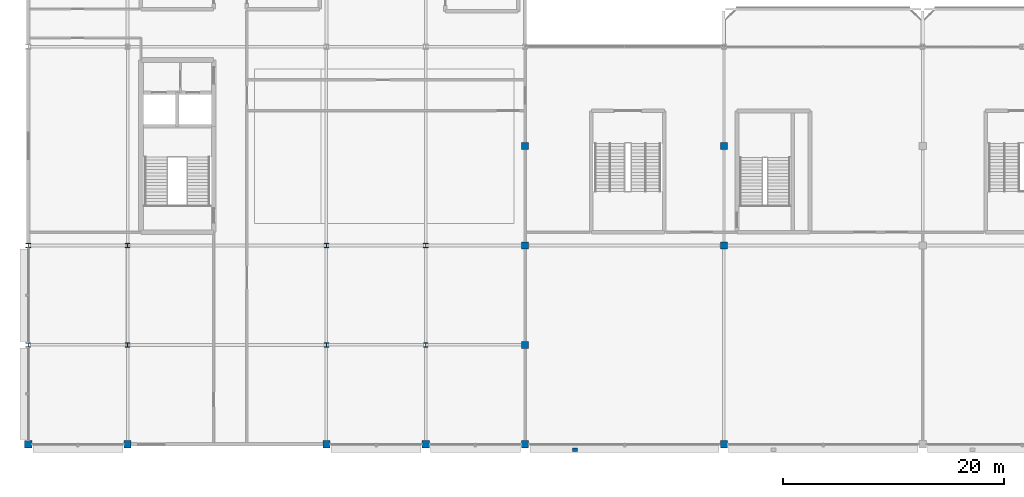
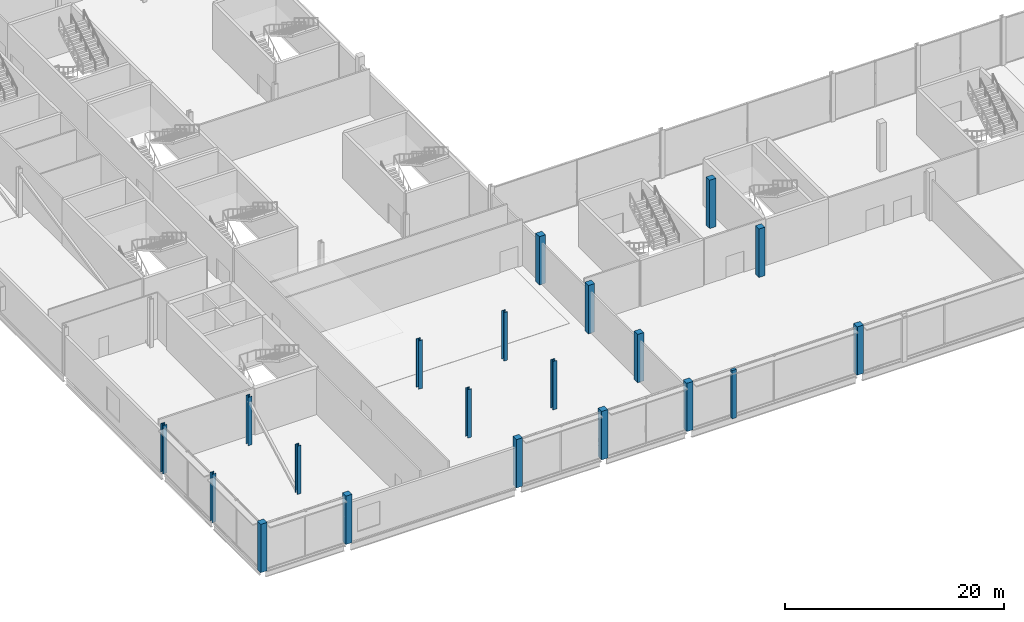
# One storey, part 1 of 113: 20 columns.
"""IFC4 building model written with IfcOpenShell, lengths in metres."""

from ifc_helpers import new_model, si_unit, direction, frame, origin, origin_2d, place, context, subcontext, project, spatial, rectangle, i_section, extrude, material, material_profile, profile_set, type_object, element, save


model = new_model("IFC4")

# Units and contexts
model_context = context("Model", 3, precision=1e-05, world=origin(), true_north=direction((0.0, 1.0)))
body_context = subcontext(model_context, "Body", "Model", "MODEL_VIEW")
ifc_project = project(units=[si_unit("LENGTHUNIT", "METRE"), si_unit("AREAUNIT", "SQUARE_METRE"), si_unit("VOLUMEUNIT", "CUBIC_METRE"), si_unit("PLANEANGLEUNIT", "RADIAN"), si_unit("MASSUNIT", "GRAM", prefix="KILO")], contexts=[model_context])

# Site, building, storey
site_placement = place(None, origin())
site = spatial("IfcSite", under=ifc_project, at=site_placement, CompositionType="ELEMENT")
building_placement = place(site_placement, origin())
building = spatial("IfcBuilding", under=site, at=building_placement, Name="Kisiwana Market Hall", CompositionType="ELEMENT")
storey_placement = place(building_placement, frame((0.0, 0.0, 6.0)))
storey = spatial("IfcBuildingStorey", under=building, at=storey_placement, Name="L01", CompositionType="ELEMENT", Elevation=6.0)

# Columns
ifc_material_1 = material(Name="Concrete C40/50", Category="concrete")
ifc_material_profile_1 = material_profile(ifc_material_1, rectangle(XDim=0.64990234375, YDim=0.64990234375, at=origin_2d()), Name="RC 650x650")
ifc_profile_set_1 = profile_set([ifc_material_profile_1], Name="Concrete C40/50")
column_type_1 = type_object("IfcColumnType", Name="COL-RC-POD-650", PredefinedType="COLUMN", material=ifc_profile_set_1)
for number, where, z_axis, x_axis, name in (
    (1, (0.0, 0.0, 0.0), (0.0, 0.0, 1.0), (1.0, 0.0, 0.0), "Column A/1 (L01) C-0360"),
    (2, (9.0, 0.0, 0.0), (0.0, 0.0, 1.0), (1.0, 0.0, 0.0), "Column A/2 (L01) C-0369"),
    (3, (27.0, 0.0, 0.0), (0.0, 0.0, 1.0), (1.0, 0.0, 0.0), "Column A/4 (L01) C-0377"),
    (4, (36.0, 0.0, 0.0), (0.0, 0.0, 1.0), (1.0, 0.0, 0.0), "Column A/5 (L01) C-0386"),
    (5, (45.0, 0.0, 0.0), (0.0, 0.0, 1.0), (1.0, 0.0, 0.0), "Column A/6 (L01) C-0394"),
    (6, (45.0, 9.0, 0.0), (0.0, 0.0, 1.0), (1.0, 0.0, 0.0), "Column B/6 (L01) C-0395"),
    (7, (45.0, 18.0, 0.0), (0.0, 0.0, 1.0), (1.0, 0.0, 0.0), "Column C/6 (L01) C-0396"),
    (8, (45.0, 27.0, 0.0), (0.0, 0.0, 1.0), (1.0, 0.0, 0.0), "Column D/6 (L01) C-0397"),
    (9, (63.0, 0.0, 0.0), (0.0, 0.0, 1.0), (1.0, 0.0, 0.0), "Column A/8 (L01) C-0405"),
    (10, (63.0, 18.0, 0.0), (0.0, 0.0, 1.0), (1.0, 0.0, 0.0), "Column C/8 (L01) C-0406"),
    (11, (63.0, 27.0, 0.0), (0.0, 0.0, 1.0), (1.0, 0.0, 0.0), "Column D/8 (L01) C-0407"),
):
    element("IfcColumn", number, at=place(storey_placement, frame(where, z_axis=z_axis, x_axis=x_axis)), inside=storey, type_object=column_type_1, Name=name, PredefinedType="COLUMN", context=body_context, shape_type="SweptSolid", body=[
        extrude(rectangle(XDim=0.64990234375, YDim=0.64990234375, at=origin_2d()), origin(), (0.0, 0.0, 1.0), 5.39990234375),
    ])
ifc_material_2 = material(Name="Steel S355", Category="steel")
ifc_material_profile_2 = material_profile(ifc_material_2, i_section(OverallWidth=0.412109375, OverallDepth=0.43505859375, WebThickness=0.035888671875, FlangeThickness=0.05810546875, at=origin_2d()), Name="HD 400x463")
ifc_profile_set_2 = profile_set([ifc_material_profile_2], Name="Steel S355")
column_type_2 = type_object("IfcColumnType", Name="COL-STL-HD463", PredefinedType="COLUMN", material=ifc_profile_set_2)
for number, where, z_axis, x_axis, name in (
    (12, (0.0, 18.0, 0.0), (0.0, 0.0, 1.0), (1.0, 0.0, 0.0), "Column C/1 (L01) C-0362"),
    (13, (9.0, 18.0, 0.0), (0.0, 0.0, 1.0), (1.0, 0.0, 0.0), "Column C/2 (L01) C-0371"),
    (14, (27.0, 18.0, 0.0), (0.0, 0.0, 1.0), (1.0, 0.0, 0.0), "Column C/4 (L01) C-0379"),
    (15, (36.0, 18.0, 0.0), (0.0, 0.0, 1.0), (1.0, 0.0, 0.0), "Column C/5 (L01) C-0388"),
):
    element("IfcColumn", number, at=place(storey_placement, frame(where, z_axis=z_axis, x_axis=x_axis)), inside=storey, type_object=column_type_2, Name=name, PredefinedType="COLUMN", context=body_context, shape_type="SweptSolid", body=[
        extrude(i_section(OverallWidth=0.412109375, OverallDepth=0.43505859375, WebThickness=0.035888671875, FlangeThickness=0.05810546875, at=origin_2d()), origin(), (0.0, 0.0, 1.0), 5.39990234375),
    ])
ifc_material_3 = material(Name="Steel S355", Category="steel")
ifc_material_profile_3 = material_profile(ifc_material_3, i_section(OverallWidth=0.403076171875, OverallDepth=0.406494140625, WebThickness=0.026611328125, FlangeThickness=0.04296875, at=origin_2d()), Name="UC 356x406x340")
ifc_profile_set_3 = profile_set([ifc_material_profile_3], Name="Steel S355")
column_type_3 = type_object("IfcColumnType", Name="COL-STL-UC340", PredefinedType="COLUMN", material=ifc_profile_set_3)
for number, where, z_axis, x_axis, name in (
    (16, (0.0, 9.0, 0.0), (0.0, 0.0, 1.0), (1.0, 0.0, 0.0), "Column B/1 (L01) C-0361"),
    (17, (9.0, 9.0, 0.0), (0.0, 0.0, 1.0), (1.0, 0.0, 0.0), "Column B/2 (L01) C-0370"),
    (18, (27.0, 9.0, 0.0), (0.0, 0.0, 1.0), (1.0, 0.0, 0.0), "Column B/4 (L01) C-0378"),
    (19, (36.0, 9.0, 0.0), (0.0, 0.0, 1.0), (1.0, 0.0, 0.0), "Column B/5 (L01) C-0387"),
):
    element("IfcColumn", number, at=place(storey_placement, frame(where, z_axis=z_axis, x_axis=x_axis)), inside=storey, type_object=column_type_3, Name=name, PredefinedType="COLUMN", context=body_context, shape_type="SweptSolid", body=[
        extrude(i_section(OverallWidth=0.403076171875, OverallDepth=0.406494140625, WebThickness=0.026611328125, FlangeThickness=0.04296875, at=origin_2d()), origin(), (0.0, 0.0, 1.0), 5.39990234375),
    ])
ifc_material_4 = material(Name="Concrete C40/50", Category="concrete")
ifc_material_profile_4 = material_profile(ifc_material_4, rectangle(XDim=0.449951171875, YDim=0.300048828125, at=origin_2d()), Name="PIL 450x300")
ifc_profile_set_4 = profile_set([ifc_material_profile_4], Name="Concrete C40/50")
column_type_4 = type_object("IfcColumnType", Name="PIL-CONC-450", PredefinedType="PILASTER", material=ifc_profile_set_4)
column_placement = place(storey_placement, frame((49.5, -0.5, 0.0), z_axis=(0.0, 0.0, 1.0), x_axis=(1.0, 0.0, 0.0)))
element("IfcColumn", 20, at=column_placement, inside=storey, type_object=column_type_4, Name="Facade pilaster A/6 (L01) C-0494", PredefinedType="PILASTER", context=body_context, shape_type="SweptSolid", body=[
    extrude(rectangle(XDim=0.449951171875, YDim=0.300048828125, at=origin_2d()), origin(), (0.0, 0.0, 1.0), 5.39990234375),
])

save(model, "model.ifc")
